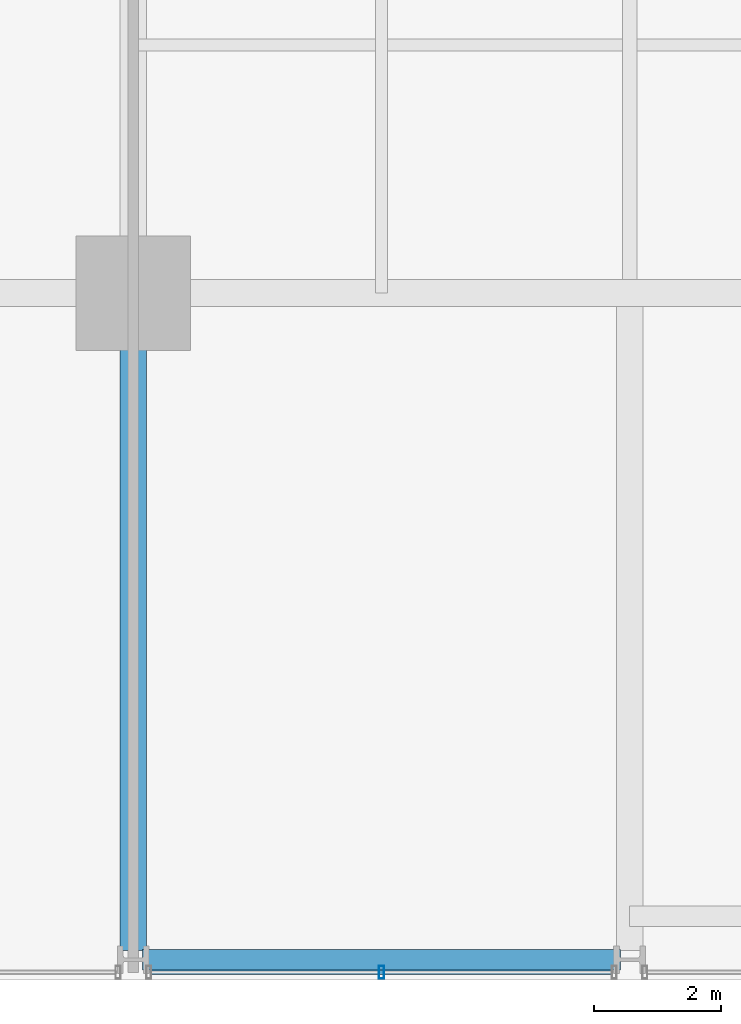
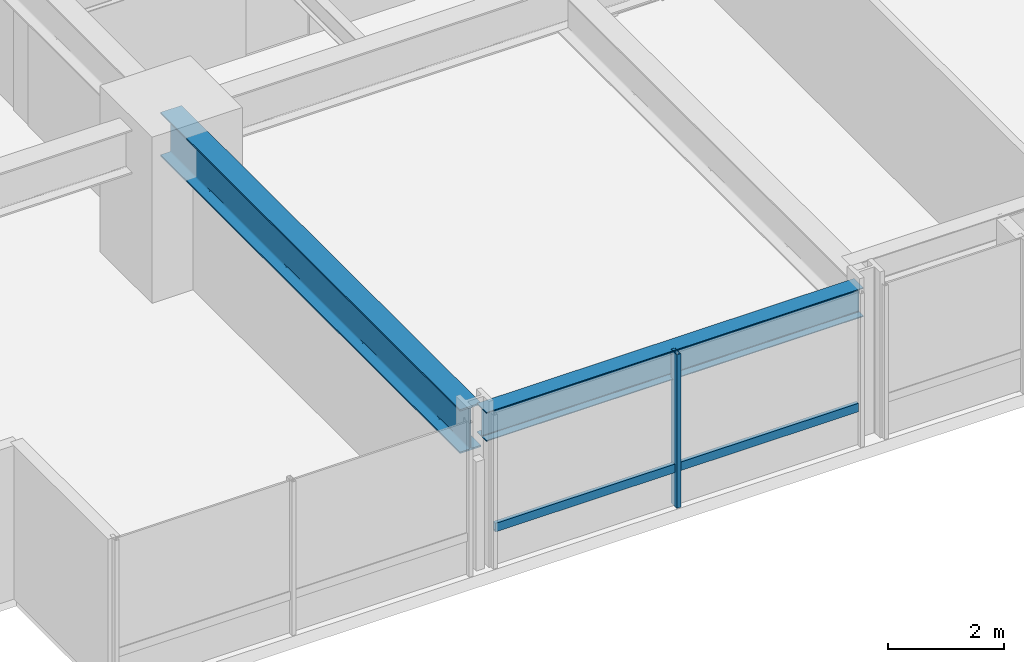
# One storey, part 3 of 37: 2 beams, 2 members, 1 element without a shape of its own.
"""IFC4 building model written with IfcOpenShell, lengths in metres."""

from ifc_helpers import new_model, si_unit, direction, frame, origin, origin_2d, place, context, subcontext, project, spatial, hollow_rectangle, i_section, extrude, material, layer, layer_set, material_profile, profile_set, type_object, element, aggregate, save


model = new_model("IFC4")

# Units and contexts
model_context = context("Model", 3, precision=1e-05, world=origin(), true_north=direction((0.0, 1.0)))
body_context = subcontext(model_context, "Body", "Model", "MODEL_VIEW")
ifc_project = project(units=[si_unit("LENGTHUNIT", "METRE"), si_unit("AREAUNIT", "SQUARE_METRE"), si_unit("VOLUMEUNIT", "CUBIC_METRE"), si_unit("PLANEANGLEUNIT", "RADIAN"), si_unit("MASSUNIT", "GRAM", prefix="KILO")], contexts=[model_context])

# Site, building, storey
site_placement = place(None, origin())
site = spatial("IfcSite", under=ifc_project, at=site_placement, CompositionType="ELEMENT")
building_placement = place(site_placement, origin())
building = spatial("IfcBuilding", under=site, at=building_placement, Name="Drelvath Grand Hotel", CompositionType="ELEMENT")
storey_placement = place(building_placement, frame((0.0, 0.0, 43.699951171875)))
storey = spatial("IfcBuildingStorey", under=building, at=storey_placement, Name="L09", CompositionType="ELEMENT", Elevation=43.699951171875)

# Curtain wall, members
ifc_material_1 = material(Name="Warm Bronze Anodised Aluminium Frame", Category="aluminium")
ifc_layer = layer(ifc_material_1, 0.199951171875)
ifc_layer_set = layer_set([ifc_layer], Name="Warm Bronze Anodised Aluminium Frame")
curtain_wall_type = type_object("IfcCurtainWallType", Name="Stick Curtain Wall CW-02 Warm Bronze Low-Rise", PredefinedType="NOTDEFINED", material=ifc_layer_set)
curtain_wall_placement = place(storey_placement, origin())
curtain_wall = element("IfcCurtainWall", 1, at=curtain_wall_placement, inside=storey, type_object=curtain_wall_type, Name="L09 CW-02 Curtain Wall CW02-L09-SW2", PredefinedType="NOTDEFINED")
ifc_material_profile_1 = material_profile(ifc_material_1, hollow_rectangle(XDim=0.074951171875, YDim=0.179931640625, WallThickness=0.0048828125, at=origin_2d()), Name="HSS180X75X5")
ifc_profile_set_1 = profile_set([ifc_material_profile_1], Name="Warm Bronze Anodised Aluminium Frame")
member_type_1 = type_object("IfcMemberType", Name="Curtain Wall Horizontal Transom CW-02 HSS180X75X5", PredefinedType="USERDEFINED", material=ifc_profile_set_1)
member_1_placement = place(storey_placement, frame((-8.680908203125, 0.1201171875, 0.81005859375), z_axis=(-1.0, 0.0, 0.0), x_axis=(0.0, -1.0, 0.0)))
member_1 = element("IfcMember", 2, at=member_1_placement, type_object=member_type_1, Name="CW02-L09-SW2 Sill Transom", ObjectType="TRANSOM", PredefinedType="USERDEFINED", context=body_context, shape_type="SweptSolid", body=[
    extrude(hollow_rectangle(XDim=0.074951171875, YDim=0.179931640625, WallThickness=0.0048828125, at=origin_2d()), origin(), (0.0, 0.0, 1.0), 7.23828125),
])
ifc_material_profile_2 = material_profile(ifc_material_1, hollow_rectangle(XDim=0.080078125, YDim=0.199951171875, WallThickness=0.0048828125, at=origin_2d()), Name="HSS200X80X5")
ifc_profile_set_2 = profile_set([ifc_material_profile_2], Name="Warm Bronze Anodised Aluminium Frame")
member_type_2 = type_object("IfcMemberType", Name="Curtain Wall Vertical Mullion CW-02 HSS200X80X5", PredefinedType="MULLION", material=ifc_profile_set_2)
member_2_placement = place(storey_placement, frame((-12.300048828125, 0.1201171875, 0.0), z_axis=(0.0, 0.0, 1.0), x_axis=(1.0, 0.0, 0.0)))
member_2 = element("IfcMember", 3, at=member_2_placement, type_object=member_type_2, Name="CW02-L09-SW2 Mullion 2", PredefinedType="MULLION", context=body_context, shape_type="SweptSolid", body=[
    extrude(hollow_rectangle(XDim=0.080078125, YDim=0.199951171875, WallThickness=0.0048828125, at=origin_2d()), origin(), (0.0, 0.0, 1.0), 3.239990234375),
])
aggregate(curtain_wall, [member_2, member_1])

# Beams
ifc_material_2 = material(Name="Steel ASTM A992 Gr 50", Category="steel")
ifc_material_profile_3 = material_profile(ifc_material_2, i_section(OverallWidth=0.323974609375, OverallDepth=0.611083984375, WebThickness=0.0126953125, FlangeThickness=0.01904296875, FilletRadius=0.02197265625, at=origin_2d()), Name="W24X104")
ifc_profile_set_3 = profile_set([ifc_material_profile_3], Name="Steel ASTM A992 Gr 50")
beam_type_1 = type_object("IfcBeamType", Name="Perimeter Spandrel Beam W24X104", PredefinedType="SPANDREL", material=ifc_profile_set_3)
beam_1_placement = place(storey_placement, frame((-16.06005859375, 0.320068359375, 2.9345703125), z_axis=(1.0, 0.0, 0.0), x_axis=(0.0, 1.0, 0.0)))
element("IfcBeam", 4, at=beam_1_placement, inside=storey, type_object=beam_type_1, Name="L09 Spandrel South W", PredefinedType="SPANDREL", context=body_context, shape_type="SweptSolid", body=[
    extrude(i_section(OverallWidth=0.323974609375, OverallDepth=0.611083984375, WebThickness=0.0126953125, FlangeThickness=0.01904296875, FilletRadius=0.02197265625, at=origin_2d()), origin(), (0.0, 0.0, 1.0), 7.52001953125),
])
ifc_material_profile_4 = material_profile(ifc_material_2, i_section(OverallWidth=0.418212890625, OverallDepth=0.926513671875, WebThickness=0.019287109375, FlangeThickness=0.031982421875, FilletRadius=0.028076171875, at=origin_2d()), Name="W36X231")
ifc_profile_set_4 = profile_set([ifc_material_profile_4], Name="Steel ASTM A992 Gr 50")
beam_type_2 = type_object("IfcBeamType", Name="Primary Floor Girder W36X231", PredefinedType="BEAM", material=ifc_profile_set_4)
beam_2_placement = place(storey_placement, frame((-16.199951171875, 0.4599609375, 2.77685546875), z_axis=(0.0, 1.0, 0.0), x_axis=(-1.0, 0.0, 0.0)))
element("IfcBeam", 5, at=beam_2_placement, inside=storey, type_object=beam_type_2, Name="L09 South Grid Girder 3", PredefinedType="BEAM", context=body_context, shape_type="SweptSolid", body=[
    extrude(i_section(OverallWidth=0.418212890625, OverallDepth=0.926513671875, WebThickness=0.019287109375, FlangeThickness=0.031982421875, FilletRadius=0.028076171875, at=origin_2d()), origin(), (0.0, 0.0, 1.0), 10.340087890625),
])

save(model, "model.ifc")
